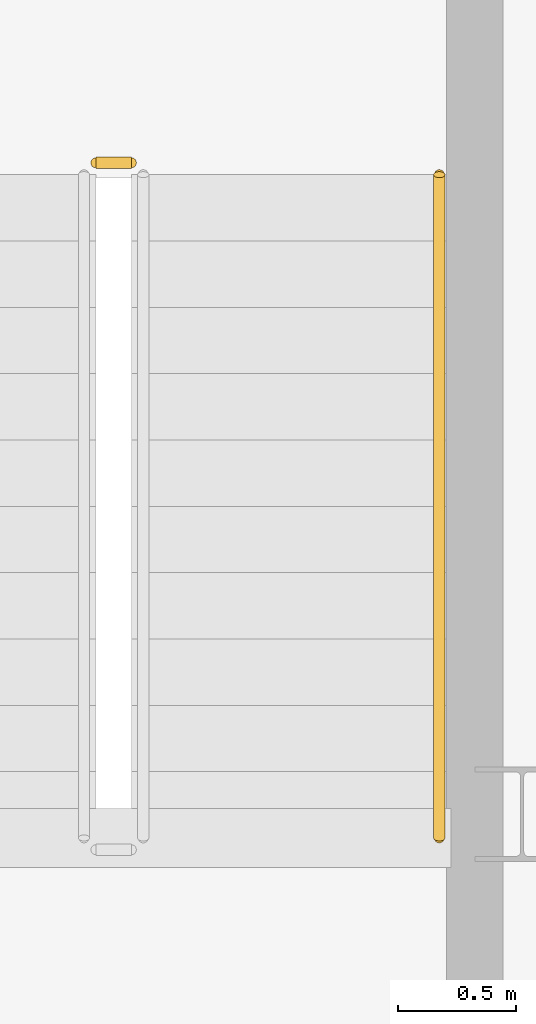
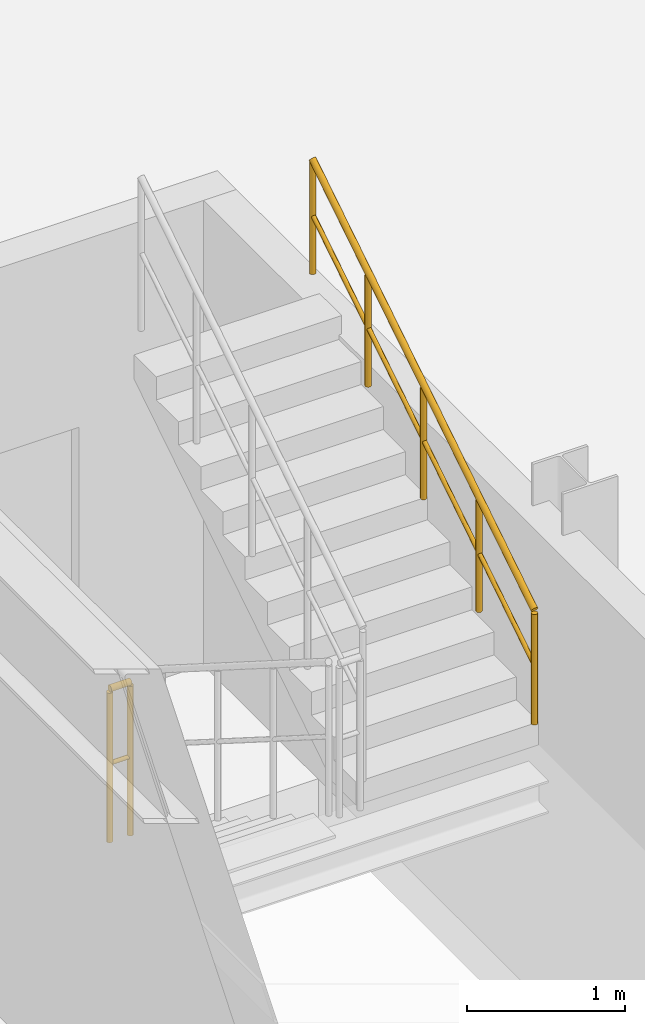
# One storey, part 12 of 12: 2 railings.
"""IFC4 building model written with IfcOpenShell, lengths in metres."""

from ifc_helpers import new_model, si_unit, direction, frame, origin, origin_2d, place, context, subcontext, project, spatial, circle, extrude, material, type_object, element, save


model = new_model("IFC4")

# Units and contexts
model_context = context("Model", 3, precision=1e-05, world=origin(), true_north=direction((0.0, 1.0)))
body_context = subcontext(model_context, "Body", "Model", "MODEL_VIEW")
ifc_project = project(units=[si_unit("LENGTHUNIT", "METRE"), si_unit("AREAUNIT", "SQUARE_METRE"), si_unit("VOLUMEUNIT", "CUBIC_METRE"), si_unit("PLANEANGLEUNIT", "RADIAN"), si_unit("MASSUNIT", "GRAM", prefix="KILO")], contexts=[model_context])

# Site, building, storey
site_placement = place(None, origin())
site = spatial("IfcSite", under=ifc_project, at=site_placement, CompositionType="ELEMENT")
building_placement = place(site_placement, origin())
building = spatial("IfcBuilding", under=site, at=building_placement, Name="Miruveldt Soraemaru", CompositionType="ELEMENT")
storey_placement = place(building_placement, frame((0.0, 0.0, -11.699951171875)))
storey = spatial("IfcBuildingStorey", under=building, at=storey_placement, Name="B3", CompositionType="ELEMENT", Elevation=-11.699951171875)

# Railings
ifc_material = material(Name="Steel S355 (355 MPa)", Category="steel")
railing_type_1 = type_object("IfcRailingType", Name="RAIL-HR-900", PredefinedType="HANDRAIL", material=ifc_material)
railing_1_placement = place(storey_placement, frame((59.60009765625, 40.39990234375, 2.127197265625)))
element("IfcRailing", 1, at=railing_1_placement, inside=storey, type_object=railing_type_1, Name="B3 ST-4 stair handrail 2", PredefinedType="HANDRAIL", context=body_context, shape_type="SweptSolid", body=[
    extrude(circle(Radius=0.02392578125, at=origin_2d()), frame((0.0, 0.0, 0.8759765625), z_axis=(0.0, 0.844908973607, 0.534910110503), x_axis=(-1.0, 0.0, 0.0)), (0.0, 0.0, 1.0), 3.31396484375),
    extrude(circle(Radius=0.01611328125, at=origin_2d()), frame((0.0, 0.0, 0.449951171875), z_axis=(0.0, 0.844908973607, 0.534910110503), x_axis=(-1.0, 0.0, 0.0)), (0.0, 0.0, 1.0), 3.31396484375),
    extrude(circle(Radius=0.02099609375, at=origin_2d()), origin(), (0.0, 0.0, 1.0), 0.851806640625),
    extrude(circle(Radius=0.02099609375, at=origin_2d()), frame((0.0, 0.699951171875, 0.443115234375)), (0.0, 0.0, 1.0), 0.851806640625),
    extrude(circle(Radius=0.02099609375, at=origin_2d()), frame((0.0, 1.39990234375, 0.88623046875)), (0.0, 0.0, 1.0), 0.851806640625),
    extrude(circle(Radius=0.02099609375, at=origin_2d()), frame((0.0, 2.10009765625, 1.32958984375)), (0.0, 0.0, 1.0), 0.851806640625),
    extrude(circle(Radius=0.02099609375, at=origin_2d()), frame((0.0, 2.800048828125, 1.772705078125)), (0.0, 0.0, 1.0), 0.851806640625),
])
railing_type_2 = type_object("IfcRailingType", Name="RAIL-STGUARD-1200", PredefinedType="GUARDRAIL", material=ifc_material)
railing_2_placement = place(storey_placement, frame((58.14990234375, 43.25, 0.0)))
element("IfcRailing", 2, at=railing_2_placement, inside=storey, type_object=railing_type_2, Name="B3 ST-4 stair guard 4", PredefinedType="GUARDRAIL", context=body_context, shape_type="SweptSolid", body=[
    extrude(circle(Radius=0.02392578125, at=origin_2d()), frame((0.0, 0.0, 1.17578125), z_axis=(1.0, 0.0, 0.0), x_axis=(0.0, 1.0, 0.0)), (0.0, 0.0, 1.0), 0.150146484375),
    extrude(circle(Radius=0.01611328125, at=origin_2d()), frame((0.0, 0.0, 0.60009765625), z_axis=(1.0, 0.0, 0.0), x_axis=(0.0, 1.0, 0.0)), (0.0, 0.0, 1.0), 0.150146484375),
    extrude(circle(Radius=0.02099609375, at=origin_2d()), origin(), (0.0, 0.0, 1.0), 1.15185546875),
    extrude(circle(Radius=0.02099609375, at=origin_2d()), frame((0.150146484375, 0.0, 0.0)), (0.0, 0.0, 1.0), 1.15185546875),
])

save(model, "model.ifc")
